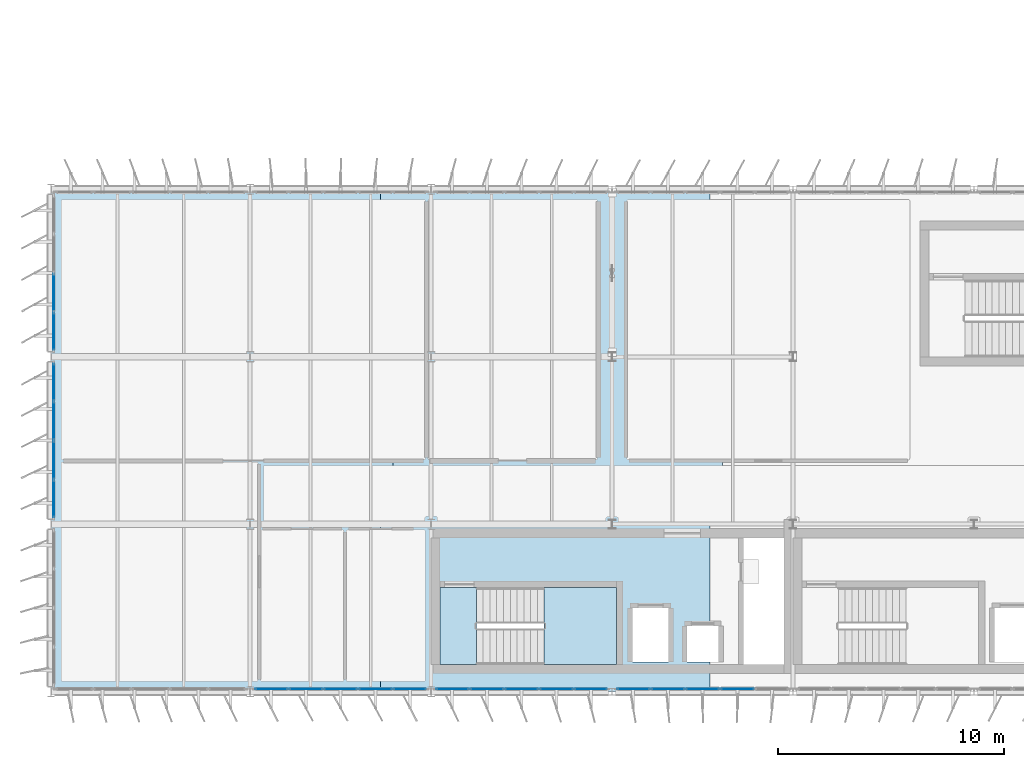
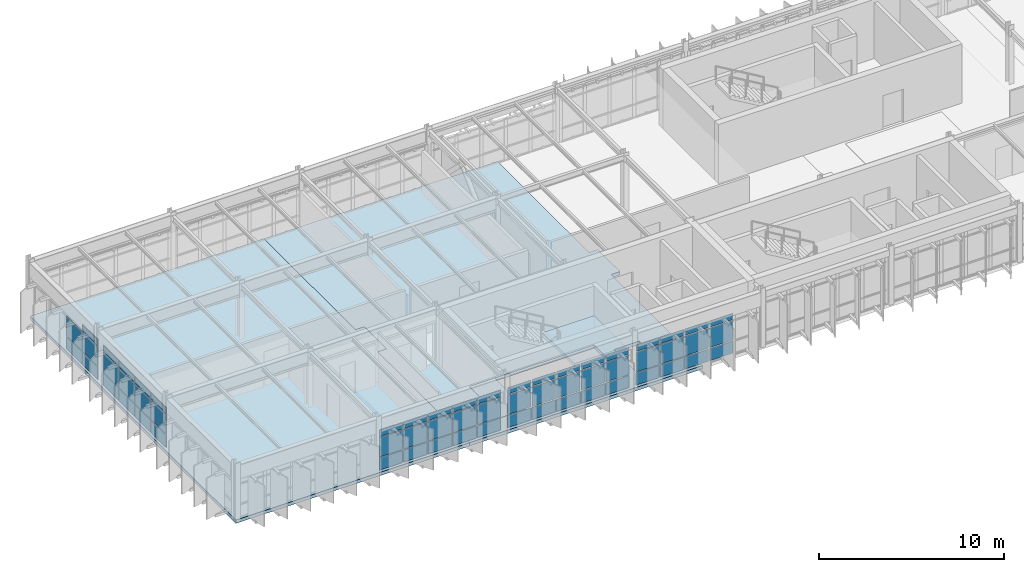
# One storey, part 19 of 35: 59 plates, 4 slabs, 6 elements without a shape of their own.
"""IFC4 building model written with IfcOpenShell, lengths in metres."""

import ifcopenshell
import ifcopenshell.guid

model = None  # the IFC model being written
_history = None  # IfcOwnerHistory: only IFC2X3 demands one
_inside = {}  # id of a spatial element -> (the spatial element, [elements in it])
_under = {}  # id of a project, library or spatial element -> (it, [spatial elements below it])
_declared = {}  # id of a project -> (the project, [libraries it declares])
_typed = {}  # id of a type object -> (the type object, [elements of that type])
_made_of = {}  # id of a material, layer set ... -> (it, [elements and type objects made of it])


def new_model(schema):
    """Start an empty IFC model of exactly this schema.

    Asked for "IFC4X3", IfcOpenShell would pick the latest addendum, in which some entities
    have other attributes; the version numbers below select the first issue.
    IFC2X3 requires an IfcOwnerHistory on every rooted entity: one is made here for all.
    """
    global model, _history
    if schema == "IFC4X3":
        model = ifcopenshell.file(schema_version=(4, 3, 0, 0))
    else:
        model = ifcopenshell.file(schema=schema)
    _inside.clear()
    _under.clear()
    _declared.clear()
    _typed.clear()
    _made_of.clear()
    _history = None
    if model.schema == "IFC2X3":
        org = make("IfcOrganization", Name="unknown")
        user = make(
            "IfcPersonAndOrganization",
            ThePerson=make("IfcPerson", FamilyName="unknown"),
            TheOrganization=org,
        )
        app = make(
            "IfcApplication",
            ApplicationDeveloper=org,
            Version="unknown",
            ApplicationFullName="unknown",
            ApplicationIdentifier="unknown",
        )
        _history = make(
            "IfcOwnerHistory",
            OwningUser=user,
            OwningApplication=app,
            ChangeAction="ADDED",
            CreationDate=0,
        )
    return model


def make(cls, **values):
    """One entity of the class cls with the attributes given. An attribute that is None is left unset."""
    return model.create_entity(
        cls, **{name: value for name, value in values.items() if value is not None}
    )


def rooted(cls, **values):
    """An entity with a GlobalId (a new one), such as an element, a storey or a relation."""
    return make(cls, GlobalId=ifcopenshell.guid.new(), OwnerHistory=_history, **values)


def si_unit(unit_type, name, prefix=None):
    """IfcSIUnit, for example si_unit("LENGTHUNIT", "METRE", prefix="MILLI")."""
    return make("IfcSIUnit", UnitType=unit_type, Prefix=prefix, Name=name)


def assignment(units):
    """IfcUnitAssignment: the units of a project."""
    return None if units is None else make("IfcUnitAssignment", Units=units)


def point(xyz):
    """IfcCartesianPoint."""
    return None if xyz is None else make("IfcCartesianPoint", Coordinates=xyz)


def direction(xyz):
    """IfcDirection."""
    return None if xyz is None else make("IfcDirection", DirectionRatios=xyz)


def frame(location, z_axis=None, x_axis=None):
    """IfcAxis2Placement3D, a coordinate frame: its origin and axes. An axis left out is left unset."""
    return make(
        "IfcAxis2Placement3D",
        Location=point(location),
        Axis=direction(z_axis),
        RefDirection=direction(x_axis),
    )


def frame_2d(location, x_axis=None):
    """IfcAxis2Placement2D, a coordinate frame in the plane: its origin and x axis."""
    return make(
        "IfcAxis2Placement2D", Location=point(location), RefDirection=direction(x_axis)
    )


def origin():
    """The frame at (0, 0, 0) with its axes left unset."""
    return frame((0.0, 0.0, 0.0))


def origin_2d():
    """The frame at (0, 0) in the plane with its x axis left unset."""
    return frame_2d((0.0, 0.0))


def place(relative_to, where):
    """IfcLocalPlacement: puts the frame where relative to a parent placement (None: the world)."""
    return make(
        "IfcLocalPlacement", PlacementRelTo=relative_to, RelativePlacement=where
    )


def context(
    kind, dimensions, precision=None, world=None, true_north=None, identifier=None
):
    """IfcGeometricRepresentationContext, for example the 3D "Model" context."""
    return make(
        "IfcGeometricRepresentationContext",
        ContextIdentifier=identifier,
        ContextType=kind,
        CoordinateSpaceDimension=dimensions,
        Precision=precision,
        WorldCoordinateSystem=world,
        TrueNorth=true_north,
    )


def subcontext(parent, identifier, kind, view, scale=None):
    """IfcGeometricRepresentationSubContext, for example "Body" below "Model"."""
    return make(
        "IfcGeometricRepresentationSubContext",
        ContextIdentifier=identifier,
        ContextType=kind,
        ParentContext=parent,
        TargetScale=scale,
        TargetView=view,
    )


def project(units=None, contexts=None):
    """IfcProject with its units and contexts."""
    return rooted(
        "IfcProject",
        Name="project",
        RepresentationContexts=contexts,
        UnitsInContext=assignment(units),
    )


def spatial(cls, under=None, at=None, **own):
    """A site, building, storey or space (cls), placed at a placement, below another one or the project."""
    s = rooted(cls, ObjectPlacement=at, **own)
    if under is not None:
        _under.setdefault(under.id(), (under, []))[1].append(s)
    return s


def polyline(points):
    """IfcPolyline through the points."""
    return make("IfcPolyline", Points=[point(p) for p in points])


def profile(cls, at=None, kind="AREA", **sizes):
    """A parametric profile (cls). Its sizes go by their IFC names, for example OverallWidth=200.0."""
    return make(cls, ProfileType=kind, Position=at, **sizes)


def rectangle(**sizes):
    """IfcRectangleProfileDef."""
    return profile("IfcRectangleProfileDef", **sizes)


def outline(outer, holes=None, kind="AREA"):
    """IfcArbitraryClosedProfileDef: a profile drawn as a closed curve; with holes, ...WithVoids."""
    if holes is None:
        return make("IfcArbitraryClosedProfileDef", ProfileType=kind, OuterCurve=outer)
    return make(
        "IfcArbitraryProfileDefWithVoids",
        ProfileType=kind,
        OuterCurve=outer,
        InnerCurves=holes,
    )


def extrude(swept, where, along, depth):
    """IfcExtrudedAreaSolid: the profile swept, set in the frame where, extruded along a direction by depth."""
    return make(
        "IfcExtrudedAreaSolid",
        SweptArea=swept,
        Position=where,
        ExtrudedDirection=direction(along),
        Depth=depth,
    )


def shape(context_of_items, identifier, shape_type, items):
    """IfcShapeRepresentation: the items that make up one representation, for example the "Body"."""
    return make(
        "IfcShapeRepresentation",
        ContextOfItems=context_of_items,
        RepresentationIdentifier=identifier,
        RepresentationType=shape_type,
        Items=items,
    )


def material(Name=None, Category=None):
    """IfcMaterial."""
    return make("IfcMaterial", Name=Name, Category=Category)


def layer(
    of_material, thickness, ventilated=None, Name=None, Category=None, Priority=None
):
    """IfcMaterialLayer: one layer of a wall or slab, of a material (None: an air gap)."""
    return make(
        "IfcMaterialLayer",
        Material=of_material,
        LayerThickness=thickness,
        IsVentilated=ventilated,
        Name=Name,
        Category=Category,
        Priority=Priority,
    )


def layer_set(layers, Name=None):
    """IfcMaterialLayerSet."""
    return make("IfcMaterialLayerSet", MaterialLayers=layers, LayerSetName=Name)


def made_of(thing, what):
    """Note that an element or type object is made of a material, layer set ...; save() writes the relation."""
    if what is not None:
        _made_of.setdefault(what.id(), (what, []))[1].append(thing)
    return thing


def type_object(cls, material=None, **own):
    """A type object (cls), such as IfcWallType, which elements share."""
    return made_of(rooted(cls, **own), material)


def element(
    cls,
    number,
    at=None,
    inside=None,
    cuts=None,
    type_object=None,
    material=None,
    context=None,
    identifier="Body",
    shape_type=None,
    held_by="IfcProductDefinitionShape",
    body=None,
    shapes=None,
    **own,
):
    """One element of the class cls, such as IfcWall. Its Tag is "e" and its number.

    at: its placement. inside: the storey or other place that contains it. cuts: it is an
    opening in that element (IfcRelVoidsElement). A single representation is given by context,
    identifier, shape_type and body (its items); several are given by shapes. held_by: the class
    of the entity that holds the representations. save() writes the other relations.
    """
    e = rooted(cls, Tag="e%d" % number, ObjectPlacement=at, **own)
    if body is not None:
        shapes = [shape(context, identifier, shape_type, body)]
    if shapes is not None:
        e.Representation = make(held_by, Representations=shapes)
    if inside is not None:
        _inside.setdefault(inside.id(), (inside, []))[1].append(e)
    if cuts is not None:
        rooted(
            "IfcRelVoidsElement", RelatingBuildingElement=cuts, RelatedOpeningElement=e
        )
    if type_object is not None:
        _typed.setdefault(type_object.id(), (type_object, []))[1].append(e)
    return made_of(e, material)


def aggregate(whole, parts):
    """IfcRelAggregates: a whole, such as a stair, and the parts it consists of."""
    return rooted("IfcRelAggregates", RelatingObject=whole, RelatedObjects=parts)


def save(model, path):
    """Write the relations noted so far, then the file.

    IfcRelAggregates (storeys below a building ...), IfcRelContainedInSpatialStructure (elements
    in a storey), IfcRelDefinesByType, IfcRelAssociatesMaterial and IfcRelDeclares: one each for
    every whole, place, type object, material and project.
    """
    for whole, parts in _under.values():
        aggregate(whole, parts)
    for where, things in _inside.values():
        rooted(
            "IfcRelContainedInSpatialStructure",
            RelatedElements=things,
            RelatingStructure=where,
        )
    for kind, things in _typed.values():
        rooted("IfcRelDefinesByType", RelatedObjects=things, RelatingType=kind)
    for what, things in _made_of.values():
        rooted("IfcRelAssociatesMaterial", RelatedObjects=things, RelatingMaterial=what)
    for by, libraries in _declared.values():
        rooted("IfcRelDeclares", RelatingContext=by, RelatedDefinitions=libraries)
    model.write(path)


model = new_model("IFC4")

# Units and contexts
model_context = context("Model", 3, precision=1e-05, world=origin(), true_north=direction((0.0, 1.0)))
body_context = subcontext(model_context, "Body", "Model", "MODEL_VIEW")
ifc_project = project(units=[si_unit("LENGTHUNIT", "METRE"), si_unit("AREAUNIT", "SQUARE_METRE"), si_unit("VOLUMEUNIT", "CUBIC_METRE"), si_unit("PLANEANGLEUNIT", "RADIAN"), si_unit("MASSUNIT", "GRAM", prefix="KILO")], contexts=[model_context])

# Site, building, storey
site_placement = place(None, origin())
site = spatial("IfcSite", under=ifc_project, at=site_placement, CompositionType="ELEMENT")
building_placement = place(site_placement, origin())
building = spatial("IfcBuilding", under=site, at=building_placement, Name="Valkorina Park Police Headquarters", CompositionType="ELEMENT")
storey_placement = place(building_placement, frame((0.0, 0.0, 27.199951171875)))
storey = spatial("IfcBuildingStorey", under=building, at=storey_placement, Name="L07", CompositionType="ELEMENT", Elevation=27.199951171875)

# Curtain wall, plates
ifc_material_1 = material(Name="Thermally broken aluminium AW-6060", Category="aluminium")
ifc_layer_1 = layer(ifc_material_1, 0.18994140625)
ifc_layer_set_1 = layer_set([ifc_layer_1], Name="Thermally broken aluminium AW-6060")
curtain_wall_type_1 = type_object("IfcCurtainWallType", Name="CW-V5-7680x2770", PredefinedType="NOTDEFINED", material=ifc_layer_set_1)
curtain_wall_1_placement = place(storey_placement, origin())
curtain_wall_1 = element("IfcCurtainWall", 1, at=curtain_wall_1_placement, inside=storey, type_object=curtain_wall_type_1, Name="L07 Unitised Curtain Wall 138", PredefinedType="NOTDEFINED")
ifc_layer_2 = layer(ifc_material_1, 0.050048828125)
ifc_layer_set_2 = layer_set([ifc_layer_2], Name="Thermally broken aluminium AW-6060")
plate_type_1 = type_object("IfcPlateType", Name="PL-CWP-SPANDREL-50", PredefinedType="CURTAIN_PANEL", material=ifc_layer_set_2)
plate_1_placement = place(storey_placement, frame((30.3359375, 37.1201171875, 0.070068359375), z_axis=(0.0, 0.0, 1.0), x_axis=(-1.0, 0.0, 0.0)))
plate_1 = element("IfcPlate", 2, at=plate_1_placement, type_object=plate_type_1, Name="CW-V5-768-277 panel 2.1", PredefinedType="CURTAIN_PANEL", context=body_context, shape_type="SweptSolid", body=[
    extrude(rectangle(XDim=1.466064453125, YDim=0.028076171875, at=origin_2d()), origin(), (0.0, 0.0, 1.0), 0.794921875),
])
plate_2_placement = place(storey_placement, frame((28.800048828125, 37.1201171875, 0.070068359375), z_axis=(0.0, 0.0, 1.0), x_axis=(-1.0, 0.0, 0.0)))
plate_2 = element("IfcPlate", 3, at=plate_2_placement, type_object=plate_type_1, Name="CW-V5-768-277 panel 3.1", PredefinedType="CURTAIN_PANEL", context=body_context, shape_type="SweptSolid", body=[
    extrude(rectangle(XDim=1.466064453125, YDim=0.028076171875, at=origin_2d()), origin(), (0.0, 0.0, 1.0), 0.794921875),
])
plate_3_placement = place(storey_placement, frame((27.263916015625, 37.1201171875, 0.070068359375), z_axis=(0.0, 0.0, 1.0), x_axis=(-1.0, 0.0, 0.0)))
plate_3 = element("IfcPlate", 4, at=plate_3_placement, type_object=plate_type_1, Name="CW-V5-768-277 panel 4.1", PredefinedType="CURTAIN_PANEL", context=body_context, shape_type="SweptSolid", body=[
    extrude(rectangle(XDim=1.466064453125, YDim=0.028076171875, at=origin_2d()), origin(), (0.0, 0.0, 1.0), 0.794921875),
])
plate_4_placement = place(storey_placement, frame((25.74560546875, 37.1201171875, 0.070068359375), z_axis=(0.0, 0.0, 1.0), x_axis=(-1.0, 0.0, 0.0)))
plate_4 = element("IfcPlate", 5, at=plate_4_placement, type_object=plate_type_1, Name="CW-V5-768-277 panel 5.1", PredefinedType="CURTAIN_PANEL", context=body_context, shape_type="SweptSolid", body=[
    extrude(rectangle(XDim=1.430908203125, YDim=0.028076171875, at=origin_2d()), origin(), (0.0, 0.0, 1.0), 0.794921875),
])

curtain_wall_2_placement = place(storey_placement, origin())
curtain_wall_2 = element("IfcCurtainWall", 6, at=curtain_wall_2_placement, inside=storey, type_object=curtain_wall_type_1, Name="L07 Unitised Curtain Wall 139", PredefinedType="NOTDEFINED")
plate_5_placement = place(storey_placement, frame((23.8544921875, 37.1201171875, 0.070068359375), z_axis=(0.0, 0.0, 1.0), x_axis=(-1.0, 0.0, 0.0)))
plate_5 = element("IfcPlate", 7, at=plate_5_placement, type_object=plate_type_1, Name="CW-V5-768-277 panel 1.1", PredefinedType="CURTAIN_PANEL", context=body_context, shape_type="SweptSolid", body=[
    extrude(rectangle(XDim=1.430908203125, YDim=0.028076171875, at=origin_2d()), origin(), (0.0, 0.0, 1.0), 0.794921875),
])
plate_6_placement = place(storey_placement, frame((22.3359375, 37.1201171875, 0.070068359375), z_axis=(0.0, 0.0, 1.0), x_axis=(-1.0, 0.0, 0.0)))
plate_6 = element("IfcPlate", 8, at=plate_6_placement, type_object=plate_type_1, Name="CW-V5-768-277 panel 2.1", PredefinedType="CURTAIN_PANEL", context=body_context, shape_type="SweptSolid", body=[
    extrude(rectangle(XDim=1.466064453125, YDim=0.028076171875, at=origin_2d()), origin(), (0.0, 0.0, 1.0), 0.794921875),
])
plate_7_placement = place(storey_placement, frame((20.800048828125, 37.1201171875, 0.070068359375), z_axis=(0.0, 0.0, 1.0), x_axis=(-1.0, 0.0, 0.0)))
plate_7 = element("IfcPlate", 9, at=plate_7_placement, type_object=plate_type_1, Name="CW-V5-768-277 panel 3.1", PredefinedType="CURTAIN_PANEL", context=body_context, shape_type="SweptSolid", body=[
    extrude(rectangle(XDim=1.466064453125, YDim=0.028076171875, at=origin_2d()), origin(), (0.0, 0.0, 1.0), 0.794921875),
])
plate_8_placement = place(storey_placement, frame((19.263916015625, 37.1201171875, 0.070068359375), z_axis=(0.0, 0.0, 1.0), x_axis=(-1.0, 0.0, 0.0)))
plate_8 = element("IfcPlate", 10, at=plate_8_placement, type_object=plate_type_1, Name="CW-V5-768-277 panel 4.1", PredefinedType="CURTAIN_PANEL", context=body_context, shape_type="SweptSolid", body=[
    extrude(rectangle(XDim=1.466064453125, YDim=0.028076171875, at=origin_2d()), origin(), (0.0, 0.0, 1.0), 0.794921875),
])
plate_9_placement = place(storey_placement, frame((17.74560546875, 37.1201171875, 0.070068359375), z_axis=(0.0, 0.0, 1.0), x_axis=(-1.0, 0.0, 0.0)))
plate_9 = element("IfcPlate", 11, at=plate_9_placement, type_object=plate_type_1, Name="CW-V5-768-277 panel 5.1", PredefinedType="CURTAIN_PANEL", context=body_context, shape_type="SweptSolid", body=[
    extrude(rectangle(XDim=1.430908203125, YDim=0.028076171875, at=origin_2d()), origin(), (0.0, 0.0, 1.0), 0.794921875),
])

curtain_wall_3_placement = place(storey_placement, origin())
curtain_wall_3 = element("IfcCurtainWall", 12, at=curtain_wall_3_placement, inside=storey, type_object=curtain_wall_type_1, Name="L07 Unitised Curtain Wall 140", PredefinedType="NOTDEFINED")
plate_10_placement = place(storey_placement, frame((15.8544921875, 37.1201171875, 0.070068359375), z_axis=(0.0, 0.0, 1.0), x_axis=(-1.0, 0.0, 0.0)))
plate_10 = element("IfcPlate", 13, at=plate_10_placement, type_object=plate_type_1, Name="CW-V5-768-277 panel 1.1", PredefinedType="CURTAIN_PANEL", context=body_context, shape_type="SweptSolid", body=[
    extrude(rectangle(XDim=1.430908203125, YDim=0.028076171875, at=origin_2d()), origin(), (0.0, 0.0, 1.0), 0.794921875),
])
plate_11_placement = place(storey_placement, frame((14.3359375, 37.1201171875, 0.070068359375), z_axis=(0.0, 0.0, 1.0), x_axis=(-1.0, 0.0, 0.0)))
plate_11 = element("IfcPlate", 14, at=plate_11_placement, type_object=plate_type_1, Name="CW-V5-768-277 panel 2.1", PredefinedType="CURTAIN_PANEL", context=body_context, shape_type="SweptSolid", body=[
    extrude(rectangle(XDim=1.466064453125, YDim=0.028076171875, at=origin_2d()), origin(), (0.0, 0.0, 1.0), 0.794921875),
])
plate_12_placement = place(storey_placement, frame((12.800048828125, 37.1201171875, 0.070068359375), z_axis=(0.0, 0.0, 1.0), x_axis=(-1.0, 0.0, 0.0)))
plate_12 = element("IfcPlate", 15, at=plate_12_placement, type_object=plate_type_1, Name="CW-V5-768-277 panel 3.1", PredefinedType="CURTAIN_PANEL", context=body_context, shape_type="SweptSolid", body=[
    extrude(rectangle(XDim=1.466064453125, YDim=0.028076171875, at=origin_2d()), origin(), (0.0, 0.0, 1.0), 0.794921875),
])
plate_13_placement = place(storey_placement, frame((11.263916015625, 37.1201171875, 0.070068359375), z_axis=(0.0, 0.0, 1.0), x_axis=(-1.0, 0.0, 0.0)))
plate_13 = element("IfcPlate", 16, at=plate_13_placement, type_object=plate_type_1, Name="CW-V5-768-277 panel 4.1", PredefinedType="CURTAIN_PANEL", context=body_context, shape_type="SweptSolid", body=[
    extrude(rectangle(XDim=1.466064453125, YDim=0.028076171875, at=origin_2d()), origin(), (0.0, 0.0, 1.0), 0.794921875),
])
plate_14_placement = place(storey_placement, frame((9.74560546875, 37.1201171875, 0.070068359375), z_axis=(0.0, 0.0, 1.0), x_axis=(-1.0, 0.0, 0.0)))
plate_14 = element("IfcPlate", 17, at=plate_14_placement, type_object=plate_type_1, Name="CW-V5-768-277 panel 5.1", PredefinedType="CURTAIN_PANEL", context=body_context, shape_type="SweptSolid", body=[
    extrude(rectangle(XDim=1.430908203125, YDim=0.028076171875, at=origin_2d()), origin(), (0.0, 0.0, 1.0), 0.794921875),
])

ifc_layer_3 = layer(ifc_material_1, 0.18994140625)
ifc_layer_set_3 = layer_set([ifc_layer_3], Name="Thermally broken aluminium AW-6060")
curtain_wall_type_2 = type_object("IfcCurtainWallType", Name="CW-V5-6930x2770", PredefinedType="NOTDEFINED", material=ifc_layer_set_3)
curtain_wall_4_placement = place(storey_placement, origin())
curtain_wall_4 = element("IfcCurtainWall", 18, at=curtain_wall_4_placement, inside=storey, type_object=curtain_wall_type_2, Name="L07 Unitised Curtain Wall 143", PredefinedType="NOTDEFINED")
plate_15_placement = place(storey_placement, frame((0.1201171875, 45.518798828125, 0.070068359375), z_axis=(0.0, 0.0, 1.0), x_axis=(0.0, 1.0, 0.0)))
plate_15 = element("IfcPlate", 19, at=plate_15_placement, type_object=plate_type_1, Name="CW-V5-693-277 panel 1.1", PredefinedType="CURTAIN_PANEL", context=body_context, shape_type="SweptSolid", body=[
    extrude(rectangle(XDim=1.62744140625, YDim=0.028076171875, at=origin_2d()), origin(), (0.0, 0.0, 1.0), 0.794921875),
])
plate_16_placement = place(storey_placement, frame((0.1201171875, 47.233642578125, 0.070068359375), z_axis=(0.0, 0.0, 1.0), x_axis=(0.0, 1.0, 0.0)))
plate_16 = element("IfcPlate", 20, at=plate_16_placement, type_object=plate_type_1, Name="CW-V5-693-277 panel 2.1", PredefinedType="CURTAIN_PANEL", context=body_context, shape_type="SweptSolid", body=[
    extrude(rectangle(XDim=1.66259765625, YDim=0.028076171875, at=origin_2d()), origin(), (0.0, 0.0, 1.0), 0.794921875),
])
plate_17_placement = place(storey_placement, frame((0.1201171875, 48.96630859375, 0.070068359375), z_axis=(0.0, 0.0, 1.0), x_axis=(0.0, 1.0, 0.0)))
plate_17 = element("IfcPlate", 21, at=plate_17_placement, type_object=plate_type_1, Name="CW-V5-693-277 panel 3.1", PredefinedType="CURTAIN_PANEL", context=body_context, shape_type="SweptSolid", body=[
    extrude(rectangle(XDim=1.66259765625, YDim=0.028076171875, at=origin_2d()), origin(), (0.0, 0.0, 1.0), 0.794921875),
])
plate_18_placement = place(storey_placement, frame((0.1201171875, 50.68115234375, 0.070068359375), z_axis=(0.0, 0.0, 1.0), x_axis=(0.0, 1.0, 0.0)))
plate_18 = element("IfcPlate", 22, at=plate_18_placement, type_object=plate_type_1, Name="CW-V5-693-277 panel 4.1", PredefinedType="CURTAIN_PANEL", context=body_context, shape_type="SweptSolid", body=[
    extrude(rectangle(XDim=1.62744140625, YDim=0.028076171875, at=origin_2d()), origin(), (0.0, 0.0, 1.0), 0.794921875),
])

curtain_wall_5_placement = place(storey_placement, origin())
curtain_wall_5 = element("IfcCurtainWall", 23, at=curtain_wall_5_placement, inside=storey, type_object=curtain_wall_type_2, Name="L07 Unitised Curtain Wall 144", PredefinedType="NOTDEFINED")
plate_19_placement = place(storey_placement, frame((0.1201171875, 52.918701171875, 0.070068359375), z_axis=(0.0, 0.0, 1.0), x_axis=(0.0, 1.0, 0.0)))
plate_19 = element("IfcPlate", 24, at=plate_19_placement, type_object=plate_type_1, Name="CW-V5-693-277 panel 1.1", PredefinedType="CURTAIN_PANEL", context=body_context, shape_type="SweptSolid", body=[
    extrude(rectangle(XDim=1.62744140625, YDim=0.028076171875, at=origin_2d()), origin(), (0.0, 0.0, 1.0), 0.794921875),
])
plate_20_placement = place(storey_placement, frame((0.1201171875, 54.6337890625, 0.070068359375), z_axis=(0.0, 0.0, 1.0), x_axis=(0.0, 1.0, 0.0)))
plate_20 = element("IfcPlate", 25, at=plate_20_placement, type_object=plate_type_1, Name="CW-V5-693-277 panel 2.1", PredefinedType="CURTAIN_PANEL", context=body_context, shape_type="SweptSolid", body=[
    extrude(rectangle(XDim=1.66259765625, YDim=0.028076171875, at=origin_2d()), origin(), (0.0, 0.0, 1.0), 0.794921875),
])

# Plate
ifc_material_2 = material(Name="Triple low-E insulated glazing", Category="glass")
ifc_layer_4 = layer(ifc_material_2, 0.028076171875)
ifc_layer_set_4 = layer_set([ifc_layer_4], Name="Triple low-E insulated glazing")
plate_type_2 = type_object("IfcPlateType", Name="PL-CWP-VISION-28", PredefinedType="CURTAIN_PANEL", material=ifc_layer_set_4)
plate_21_placement = place(storey_placement, frame((30.3359375, 37.1201171875, 0.93505859375), z_axis=(0.0, 0.0, 1.0), x_axis=(-1.0, 0.0, 0.0)))
plate_21 = element("IfcPlate", 26, at=plate_21_placement, type_object=plate_type_2, Name="CW-V5-768-277 panel 2.2", PredefinedType="CURTAIN_PANEL", context=body_context, shape_type="SweptSolid", body=[
    extrude(rectangle(XDim=1.466064453125, YDim=0.028076171875, at=origin_2d()), origin(), (0.0, 0.0, 1.0), 1.280029296875),
])

plate_22_placement = place(storey_placement, frame((30.3359375, 37.1201171875, 2.284912109375), z_axis=(0.0, 0.0, 1.0), x_axis=(-1.0, 0.0, 0.0)))
plate_22 = element("IfcPlate", 27, at=plate_22_placement, type_object=plate_type_2, Name="CW-V5-768-277 panel 2.3", PredefinedType="CURTAIN_PANEL", context=body_context, shape_type="SweptSolid", body=[
    extrude(rectangle(XDim=1.466064453125, YDim=0.028076171875, at=origin_2d()), origin(), (0.0, 0.0, 1.0), 0.4150390625),
])

plate_23_placement = place(storey_placement, frame((28.800048828125, 37.1201171875, 0.93505859375), z_axis=(0.0, 0.0, 1.0), x_axis=(-1.0, 0.0, 0.0)))
plate_23 = element("IfcPlate", 28, at=plate_23_placement, type_object=plate_type_2, Name="CW-V5-768-277 panel 3.2", PredefinedType="CURTAIN_PANEL", context=body_context, shape_type="SweptSolid", body=[
    extrude(rectangle(XDim=1.466064453125, YDim=0.028076171875, at=origin_2d()), origin(), (0.0, 0.0, 1.0), 1.280029296875),
])

plate_24_placement = place(storey_placement, frame((28.800048828125, 37.1201171875, 2.284912109375), z_axis=(0.0, 0.0, 1.0), x_axis=(-1.0, 0.0, 0.0)))
plate_24 = element("IfcPlate", 29, at=plate_24_placement, type_object=plate_type_2, Name="CW-V5-768-277 panel 3.3", PredefinedType="CURTAIN_PANEL", context=body_context, shape_type="SweptSolid", body=[
    extrude(rectangle(XDim=1.466064453125, YDim=0.028076171875, at=origin_2d()), origin(), (0.0, 0.0, 1.0), 0.4150390625),
])

plate_25_placement = place(storey_placement, frame((27.263916015625, 37.1201171875, 0.93505859375), z_axis=(0.0, 0.0, 1.0), x_axis=(-1.0, 0.0, 0.0)))
plate_25 = element("IfcPlate", 30, at=plate_25_placement, type_object=plate_type_2, Name="CW-V5-768-277 panel 4.2", PredefinedType="CURTAIN_PANEL", context=body_context, shape_type="SweptSolid", body=[
    extrude(rectangle(XDim=1.466064453125, YDim=0.028076171875, at=origin_2d()), origin(), (0.0, 0.0, 1.0), 1.280029296875),
])

plate_26_placement = place(storey_placement, frame((27.263916015625, 37.1201171875, 2.284912109375), z_axis=(0.0, 0.0, 1.0), x_axis=(-1.0, 0.0, 0.0)))
plate_26 = element("IfcPlate", 31, at=plate_26_placement, type_object=plate_type_2, Name="CW-V5-768-277 panel 4.3", PredefinedType="CURTAIN_PANEL", context=body_context, shape_type="SweptSolid", body=[
    extrude(rectangle(XDim=1.466064453125, YDim=0.028076171875, at=origin_2d()), origin(), (0.0, 0.0, 1.0), 0.4150390625),
])

plate_27_placement = place(storey_placement, frame((25.74560546875, 37.1201171875, 0.93505859375), z_axis=(0.0, 0.0, 1.0), x_axis=(-1.0, 0.0, 0.0)))
plate_27 = element("IfcPlate", 32, at=plate_27_placement, type_object=plate_type_2, Name="CW-V5-768-277 panel 5.2", PredefinedType="CURTAIN_PANEL", context=body_context, shape_type="SweptSolid", body=[
    extrude(rectangle(XDim=1.430908203125, YDim=0.028076171875, at=origin_2d()), origin(), (0.0, 0.0, 1.0), 1.280029296875),
])

plate_28_placement = place(storey_placement, frame((25.74560546875, 37.1201171875, 2.284912109375), z_axis=(0.0, 0.0, 1.0), x_axis=(-1.0, 0.0, 0.0)))
plate_28 = element("IfcPlate", 33, at=plate_28_placement, type_object=plate_type_2, Name="CW-V5-768-277 panel 5.3", PredefinedType="CURTAIN_PANEL", context=body_context, shape_type="SweptSolid", body=[
    extrude(rectangle(XDim=1.430908203125, YDim=0.028076171875, at=origin_2d()), origin(), (0.0, 0.0, 1.0), 0.4150390625),
])

aggregate(curtain_wall_1, [plate_1, plate_21, plate_22, plate_2, plate_23, plate_24, plate_3, plate_25, plate_26, plate_4, plate_27, plate_28])

plate_29_placement = place(storey_placement, frame((23.8544921875, 37.1201171875, 0.93505859375), z_axis=(0.0, 0.0, 1.0), x_axis=(-1.0, 0.0, 0.0)))
plate_29 = element("IfcPlate", 34, at=plate_29_placement, type_object=plate_type_2, Name="CW-V5-768-277 panel 1.2", PredefinedType="CURTAIN_PANEL", context=body_context, shape_type="SweptSolid", body=[
    extrude(rectangle(XDim=1.430908203125, YDim=0.028076171875, at=origin_2d()), origin(), (0.0, 0.0, 1.0), 1.280029296875),
])

plate_30_placement = place(storey_placement, frame((23.8544921875, 37.1201171875, 2.284912109375), z_axis=(0.0, 0.0, 1.0), x_axis=(-1.0, 0.0, 0.0)))
plate_30 = element("IfcPlate", 35, at=plate_30_placement, type_object=plate_type_2, Name="CW-V5-768-277 panel 1.3", PredefinedType="CURTAIN_PANEL", context=body_context, shape_type="SweptSolid", body=[
    extrude(rectangle(XDim=1.430908203125, YDim=0.028076171875, at=origin_2d()), origin(), (0.0, 0.0, 1.0), 0.4150390625),
])

plate_31_placement = place(storey_placement, frame((22.3359375, 37.1201171875, 0.93505859375), z_axis=(0.0, 0.0, 1.0), x_axis=(-1.0, 0.0, 0.0)))
plate_31 = element("IfcPlate", 36, at=plate_31_placement, type_object=plate_type_2, Name="CW-V5-768-277 panel 2.2", PredefinedType="CURTAIN_PANEL", context=body_context, shape_type="SweptSolid", body=[
    extrude(rectangle(XDim=1.466064453125, YDim=0.028076171875, at=origin_2d()), origin(), (0.0, 0.0, 1.0), 1.280029296875),
])

plate_32_placement = place(storey_placement, frame((22.3359375, 37.1201171875, 2.284912109375), z_axis=(0.0, 0.0, 1.0), x_axis=(-1.0, 0.0, 0.0)))
plate_32 = element("IfcPlate", 37, at=plate_32_placement, type_object=plate_type_2, Name="CW-V5-768-277 panel 2.3", PredefinedType="CURTAIN_PANEL", context=body_context, shape_type="SweptSolid", body=[
    extrude(rectangle(XDim=1.466064453125, YDim=0.028076171875, at=origin_2d()), origin(), (0.0, 0.0, 1.0), 0.4150390625),
])

plate_33_placement = place(storey_placement, frame((20.800048828125, 37.1201171875, 0.93505859375), z_axis=(0.0, 0.0, 1.0), x_axis=(-1.0, 0.0, 0.0)))
plate_33 = element("IfcPlate", 38, at=plate_33_placement, type_object=plate_type_2, Name="CW-V5-768-277 panel 3.2", PredefinedType="CURTAIN_PANEL", context=body_context, shape_type="SweptSolid", body=[
    extrude(rectangle(XDim=1.466064453125, YDim=0.028076171875, at=origin_2d()), origin(), (0.0, 0.0, 1.0), 1.280029296875),
])

plate_34_placement = place(storey_placement, frame((20.800048828125, 37.1201171875, 2.284912109375), z_axis=(0.0, 0.0, 1.0), x_axis=(-1.0, 0.0, 0.0)))
plate_34 = element("IfcPlate", 39, at=plate_34_placement, type_object=plate_type_2, Name="CW-V5-768-277 panel 3.3", PredefinedType="CURTAIN_PANEL", context=body_context, shape_type="SweptSolid", body=[
    extrude(rectangle(XDim=1.466064453125, YDim=0.028076171875, at=origin_2d()), origin(), (0.0, 0.0, 1.0), 0.4150390625),
])

plate_35_placement = place(storey_placement, frame((19.263916015625, 37.1201171875, 0.93505859375), z_axis=(0.0, 0.0, 1.0), x_axis=(-1.0, 0.0, 0.0)))
plate_35 = element("IfcPlate", 40, at=plate_35_placement, type_object=plate_type_2, Name="CW-V5-768-277 panel 4.2", PredefinedType="CURTAIN_PANEL", context=body_context, shape_type="SweptSolid", body=[
    extrude(rectangle(XDim=1.466064453125, YDim=0.028076171875, at=origin_2d()), origin(), (0.0, 0.0, 1.0), 1.280029296875),
])

plate_36_placement = place(storey_placement, frame((19.263916015625, 37.1201171875, 2.284912109375), z_axis=(0.0, 0.0, 1.0), x_axis=(-1.0, 0.0, 0.0)))
plate_36 = element("IfcPlate", 41, at=plate_36_placement, type_object=plate_type_2, Name="CW-V5-768-277 panel 4.3", PredefinedType="CURTAIN_PANEL", context=body_context, shape_type="SweptSolid", body=[
    extrude(rectangle(XDim=1.466064453125, YDim=0.028076171875, at=origin_2d()), origin(), (0.0, 0.0, 1.0), 0.4150390625),
])

plate_37_placement = place(storey_placement, frame((17.74560546875, 37.1201171875, 0.93505859375), z_axis=(0.0, 0.0, 1.0), x_axis=(-1.0, 0.0, 0.0)))
plate_37 = element("IfcPlate", 42, at=plate_37_placement, type_object=plate_type_2, Name="CW-V5-768-277 panel 5.2", PredefinedType="CURTAIN_PANEL", context=body_context, shape_type="SweptSolid", body=[
    extrude(rectangle(XDim=1.430908203125, YDim=0.028076171875, at=origin_2d()), origin(), (0.0, 0.0, 1.0), 1.280029296875),
])

plate_38_placement = place(storey_placement, frame((17.74560546875, 37.1201171875, 2.284912109375), z_axis=(0.0, 0.0, 1.0), x_axis=(-1.0, 0.0, 0.0)))
plate_38 = element("IfcPlate", 43, at=plate_38_placement, type_object=plate_type_2, Name="CW-V5-768-277 panel 5.3", PredefinedType="CURTAIN_PANEL", context=body_context, shape_type="SweptSolid", body=[
    extrude(rectangle(XDim=1.430908203125, YDim=0.028076171875, at=origin_2d()), origin(), (0.0, 0.0, 1.0), 0.4150390625),
])

aggregate(curtain_wall_2, [plate_5, plate_29, plate_30, plate_6, plate_31, plate_32, plate_7, plate_33, plate_34, plate_8, plate_35, plate_36, plate_9, plate_37, plate_38])

plate_39_placement = place(storey_placement, frame((15.8544921875, 37.1201171875, 0.93505859375), z_axis=(0.0, 0.0, 1.0), x_axis=(-1.0, 0.0, 0.0)))
plate_39 = element("IfcPlate", 44, at=plate_39_placement, type_object=plate_type_2, Name="CW-V5-768-277 panel 1.2", PredefinedType="CURTAIN_PANEL", context=body_context, shape_type="SweptSolid", body=[
    extrude(rectangle(XDim=1.430908203125, YDim=0.028076171875, at=origin_2d()), origin(), (0.0, 0.0, 1.0), 1.280029296875),
])

plate_40_placement = place(storey_placement, frame((15.8544921875, 37.1201171875, 2.284912109375), z_axis=(0.0, 0.0, 1.0), x_axis=(-1.0, 0.0, 0.0)))
plate_40 = element("IfcPlate", 45, at=plate_40_placement, type_object=plate_type_2, Name="CW-V5-768-277 panel 1.3", PredefinedType="CURTAIN_PANEL", context=body_context, shape_type="SweptSolid", body=[
    extrude(rectangle(XDim=1.430908203125, YDim=0.028076171875, at=origin_2d()), origin(), (0.0, 0.0, 1.0), 0.4150390625),
])

plate_41_placement = place(storey_placement, frame((14.3359375, 37.1201171875, 0.93505859375), z_axis=(0.0, 0.0, 1.0), x_axis=(-1.0, 0.0, 0.0)))
plate_41 = element("IfcPlate", 46, at=plate_41_placement, type_object=plate_type_2, Name="CW-V5-768-277 panel 2.2", PredefinedType="CURTAIN_PANEL", context=body_context, shape_type="SweptSolid", body=[
    extrude(rectangle(XDim=1.466064453125, YDim=0.028076171875, at=origin_2d()), origin(), (0.0, 0.0, 1.0), 1.280029296875),
])

plate_42_placement = place(storey_placement, frame((14.3359375, 37.1201171875, 2.284912109375), z_axis=(0.0, 0.0, 1.0), x_axis=(-1.0, 0.0, 0.0)))
plate_42 = element("IfcPlate", 47, at=plate_42_placement, type_object=plate_type_2, Name="CW-V5-768-277 panel 2.3", PredefinedType="CURTAIN_PANEL", context=body_context, shape_type="SweptSolid", body=[
    extrude(rectangle(XDim=1.466064453125, YDim=0.028076171875, at=origin_2d()), origin(), (0.0, 0.0, 1.0), 0.4150390625),
])

plate_43_placement = place(storey_placement, frame((12.800048828125, 37.1201171875, 0.93505859375), z_axis=(0.0, 0.0, 1.0), x_axis=(-1.0, 0.0, 0.0)))
plate_43 = element("IfcPlate", 48, at=plate_43_placement, type_object=plate_type_2, Name="CW-V5-768-277 panel 3.2", PredefinedType="CURTAIN_PANEL", context=body_context, shape_type="SweptSolid", body=[
    extrude(rectangle(XDim=1.466064453125, YDim=0.028076171875, at=origin_2d()), origin(), (0.0, 0.0, 1.0), 1.280029296875),
])

plate_44_placement = place(storey_placement, frame((12.800048828125, 37.1201171875, 2.284912109375), z_axis=(0.0, 0.0, 1.0), x_axis=(-1.0, 0.0, 0.0)))
plate_44 = element("IfcPlate", 49, at=plate_44_placement, type_object=plate_type_2, Name="CW-V5-768-277 panel 3.3", PredefinedType="CURTAIN_PANEL", context=body_context, shape_type="SweptSolid", body=[
    extrude(rectangle(XDim=1.466064453125, YDim=0.028076171875, at=origin_2d()), origin(), (0.0, 0.0, 1.0), 0.4150390625),
])

plate_45_placement = place(storey_placement, frame((11.263916015625, 37.1201171875, 0.93505859375), z_axis=(0.0, 0.0, 1.0), x_axis=(-1.0, 0.0, 0.0)))
plate_45 = element("IfcPlate", 50, at=plate_45_placement, type_object=plate_type_2, Name="CW-V5-768-277 panel 4.2", PredefinedType="CURTAIN_PANEL", context=body_context, shape_type="SweptSolid", body=[
    extrude(rectangle(XDim=1.466064453125, YDim=0.028076171875, at=origin_2d()), origin(), (0.0, 0.0, 1.0), 1.280029296875),
])

plate_46_placement = place(storey_placement, frame((11.263916015625, 37.1201171875, 2.284912109375), z_axis=(0.0, 0.0, 1.0), x_axis=(-1.0, 0.0, 0.0)))
plate_46 = element("IfcPlate", 51, at=plate_46_placement, type_object=plate_type_2, Name="CW-V5-768-277 panel 4.3", PredefinedType="CURTAIN_PANEL", context=body_context, shape_type="SweptSolid", body=[
    extrude(rectangle(XDim=1.466064453125, YDim=0.028076171875, at=origin_2d()), origin(), (0.0, 0.0, 1.0), 0.4150390625),
])

plate_47_placement = place(storey_placement, frame((9.74560546875, 37.1201171875, 0.93505859375), z_axis=(0.0, 0.0, 1.0), x_axis=(-1.0, 0.0, 0.0)))
plate_47 = element("IfcPlate", 52, at=plate_47_placement, type_object=plate_type_2, Name="CW-V5-768-277 panel 5.2", PredefinedType="CURTAIN_PANEL", context=body_context, shape_type="SweptSolid", body=[
    extrude(rectangle(XDim=1.430908203125, YDim=0.028076171875, at=origin_2d()), origin(), (0.0, 0.0, 1.0), 1.280029296875),
])

plate_48_placement = place(storey_placement, frame((9.74560546875, 37.1201171875, 2.284912109375), z_axis=(0.0, 0.0, 1.0), x_axis=(-1.0, 0.0, 0.0)))
plate_48 = element("IfcPlate", 53, at=plate_48_placement, type_object=plate_type_2, Name="CW-V5-768-277 panel 5.3", PredefinedType="CURTAIN_PANEL", context=body_context, shape_type="SweptSolid", body=[
    extrude(rectangle(XDim=1.430908203125, YDim=0.028076171875, at=origin_2d()), origin(), (0.0, 0.0, 1.0), 0.4150390625),
])

aggregate(curtain_wall_3, [plate_10, plate_39, plate_40, plate_11, plate_41, plate_42, plate_12, plate_43, plate_44, plate_13, plate_45, plate_46, plate_14, plate_47, plate_48])

plate_49_placement = place(storey_placement, frame((0.1201171875, 45.518798828125, 0.93505859375), z_axis=(0.0, 0.0, 1.0), x_axis=(0.0, 1.0, 0.0)))
plate_49 = element("IfcPlate", 54, at=plate_49_placement, type_object=plate_type_2, Name="CW-V5-693-277 panel 1.2", PredefinedType="CURTAIN_PANEL", context=body_context, shape_type="SweptSolid", body=[
    extrude(rectangle(XDim=1.62744140625, YDim=0.028076171875, at=origin_2d()), origin(), (0.0, 0.0, 1.0), 1.280029296875),
])

plate_50_placement = place(storey_placement, frame((0.1201171875, 45.518798828125, 2.284912109375), z_axis=(0.0, 0.0, 1.0), x_axis=(0.0, 1.0, 0.0)))
plate_50 = element("IfcPlate", 55, at=plate_50_placement, type_object=plate_type_2, Name="CW-V5-693-277 panel 1.3", PredefinedType="CURTAIN_PANEL", context=body_context, shape_type="SweptSolid", body=[
    extrude(rectangle(XDim=1.62744140625, YDim=0.028076171875, at=origin_2d()), origin(), (0.0, 0.0, 1.0), 0.4150390625),
])

plate_51_placement = place(storey_placement, frame((0.1201171875, 47.233642578125, 0.93505859375), z_axis=(0.0, 0.0, 1.0), x_axis=(0.0, 1.0, 0.0)))
plate_51 = element("IfcPlate", 56, at=plate_51_placement, type_object=plate_type_2, Name="CW-V5-693-277 panel 2.2", PredefinedType="CURTAIN_PANEL", context=body_context, shape_type="SweptSolid", body=[
    extrude(rectangle(XDim=1.66259765625, YDim=0.028076171875, at=origin_2d()), origin(), (0.0, 0.0, 1.0), 1.280029296875),
])

plate_52_placement = place(storey_placement, frame((0.1201171875, 47.233642578125, 2.284912109375), z_axis=(0.0, 0.0, 1.0), x_axis=(0.0, 1.0, 0.0)))
plate_52 = element("IfcPlate", 57, at=plate_52_placement, type_object=plate_type_2, Name="CW-V5-693-277 panel 2.3", PredefinedType="CURTAIN_PANEL", context=body_context, shape_type="SweptSolid", body=[
    extrude(rectangle(XDim=1.66259765625, YDim=0.028076171875, at=origin_2d()), origin(), (0.0, 0.0, 1.0), 0.4150390625),
])

plate_53_placement = place(storey_placement, frame((0.1201171875, 48.96630859375, 0.93505859375), z_axis=(0.0, 0.0, 1.0), x_axis=(0.0, 1.0, 0.0)))
plate_53 = element("IfcPlate", 58, at=plate_53_placement, type_object=plate_type_2, Name="CW-V5-693-277 panel 3.2", PredefinedType="CURTAIN_PANEL", context=body_context, shape_type="SweptSolid", body=[
    extrude(rectangle(XDim=1.66259765625, YDim=0.028076171875, at=origin_2d()), origin(), (0.0, 0.0, 1.0), 1.280029296875),
])

plate_54_placement = place(storey_placement, frame((0.1201171875, 48.96630859375, 2.284912109375), z_axis=(0.0, 0.0, 1.0), x_axis=(0.0, 1.0, 0.0)))
plate_54 = element("IfcPlate", 59, at=plate_54_placement, type_object=plate_type_2, Name="CW-V5-693-277 panel 3.3", PredefinedType="CURTAIN_PANEL", context=body_context, shape_type="SweptSolid", body=[
    extrude(rectangle(XDim=1.66259765625, YDim=0.028076171875, at=origin_2d()), origin(), (0.0, 0.0, 1.0), 0.4150390625),
])

plate_55_placement = place(storey_placement, frame((0.1201171875, 50.68115234375, 0.93505859375), z_axis=(0.0, 0.0, 1.0), x_axis=(0.0, 1.0, 0.0)))
plate_55 = element("IfcPlate", 60, at=plate_55_placement, type_object=plate_type_2, Name="CW-V5-693-277 panel 4.2", PredefinedType="CURTAIN_PANEL", context=body_context, shape_type="SweptSolid", body=[
    extrude(rectangle(XDim=1.62744140625, YDim=0.028076171875, at=origin_2d()), origin(), (0.0, 0.0, 1.0), 1.280029296875),
])

plate_56_placement = place(storey_placement, frame((0.1201171875, 50.68115234375, 2.284912109375), z_axis=(0.0, 0.0, 1.0), x_axis=(0.0, 1.0, 0.0)))
plate_56 = element("IfcPlate", 61, at=plate_56_placement, type_object=plate_type_2, Name="CW-V5-693-277 panel 4.3", PredefinedType="CURTAIN_PANEL", context=body_context, shape_type="SweptSolid", body=[
    extrude(rectangle(XDim=1.62744140625, YDim=0.028076171875, at=origin_2d()), origin(), (0.0, 0.0, 1.0), 0.4150390625),
])

aggregate(curtain_wall_4, [plate_15, plate_49, plate_50, plate_16, plate_51, plate_52, plate_17, plate_53, plate_54, plate_18, plate_55, plate_56])

plate_57_placement = place(storey_placement, frame((0.1201171875, 52.918701171875, 0.93505859375), z_axis=(0.0, 0.0, 1.0), x_axis=(0.0, 1.0, 0.0)))
plate_57 = element("IfcPlate", 62, at=plate_57_placement, type_object=plate_type_2, Name="CW-V5-693-277 panel 1.2", PredefinedType="CURTAIN_PANEL", context=body_context, shape_type="SweptSolid", body=[
    extrude(rectangle(XDim=1.62744140625, YDim=0.028076171875, at=origin_2d()), origin(), (0.0, 0.0, 1.0), 1.280029296875),
])

plate_58_placement = place(storey_placement, frame((0.1201171875, 52.918701171875, 2.284912109375), z_axis=(0.0, 0.0, 1.0), x_axis=(0.0, 1.0, 0.0)))
plate_58 = element("IfcPlate", 63, at=plate_58_placement, type_object=plate_type_2, Name="CW-V5-693-277 panel 1.3", PredefinedType="CURTAIN_PANEL", context=body_context, shape_type="SweptSolid", body=[
    extrude(rectangle(XDim=1.62744140625, YDim=0.028076171875, at=origin_2d()), origin(), (0.0, 0.0, 1.0), 0.4150390625),
])

plate_59_placement = place(storey_placement, frame((0.1201171875, 54.6337890625, 0.93505859375), z_axis=(0.0, 0.0, 1.0), x_axis=(0.0, 1.0, 0.0)))
plate_59 = element("IfcPlate", 64, at=plate_59_placement, type_object=plate_type_2, Name="CW-V5-693-277 panel 2.2", PredefinedType="CURTAIN_PANEL", context=body_context, shape_type="SweptSolid", body=[
    extrude(rectangle(XDim=1.66259765625, YDim=0.028076171875, at=origin_2d()), origin(), (0.0, 0.0, 1.0), 1.280029296875),
])

aggregate(curtain_wall_5, [plate_19, plate_57, plate_58, plate_20, plate_59])

# Slabs
ifc_material_3 = material(Name="Concrete C35/45", Category="concrete")
ifc_layer_5 = layer(ifc_material_3, 0.219970703125)
ifc_layer_set_5 = layer_set([ifc_layer_5], Name="Concrete C35/45")
slab_type_1 = type_object("IfcSlabType", Name="SL-COMP-OFF-150", PredefinedType="FLOOR", material=ifc_layer_set_5)
slab_1_placement = place(storey_placement, frame((0.0, 0.0, -0.219970703125)))
element("IfcSlab", 65, at=slab_1_placement, inside=storey, type_object=slab_type_1, Name="L07 Structural Floor Slab 106", PredefinedType="FLOOR", context=body_context, shape_type="SweptSolid", body=[
    extrude(outline(polyline([(15.110107421875, 49.2958984375), (14.56005859375, 49.2958984375), (14.56005859375, 59.19189453125), (0.0, 59.19189453125), (0.0, 37.0), (14.56005859375, 37.0), (14.56005859375, 46.89599609375), (15.110107421875, 46.89599609375), (15.110107421875, 49.2958984375)])), origin(), (0.0, 0.0, 1.0), 0.219970703125),
])
slab_2_placement = place(storey_placement, frame((0.0, 0.0, -0.219970703125)))
element("IfcSlab", 66, at=slab_2_placement, inside=storey, type_object=slab_type_1, Name="L07 Structural Floor Slab 107", PredefinedType="FLOOR", context=body_context, shape_type="SweptSolid", body=[
    extrude(outline(polyline([(29.669921875, 49.2958984375), (29.1201171875, 49.2958984375), (29.1201171875, 59.19189453125), (14.56005859375, 59.19189453125), (14.56005859375, 49.2958984375), (15.110107421875, 49.2958984375), (15.110107421875, 46.89599609375), (14.56005859375, 46.89599609375), (14.56005859375, 37.0), (29.1201171875, 37.0), (29.1201171875, 38.300048828125), (28.10009765625, 38.300048828125), (28.10009765625, 39.89990234375), (29.1201171875, 39.89990234375), (29.1201171875, 46.89599609375), (29.669921875, 46.89599609375), (29.669921875, 49.2958984375)]), holes=[polyline([(27.300048828125, 40.699951171875), (27.300048828125, 38.300048828125), (25.699951171875, 38.300048828125), (25.699951171875, 40.699951171875), (27.300048828125, 40.699951171875)]), polyline([(17.199951171875, 38.199951171875), (17.199951171875, 41.60009765625), (25.0, 41.60009765625), (25.0, 38.199951171875), (17.199951171875, 38.199951171875)])]), origin(), (0.0, 0.0, 1.0), 0.219970703125),
])

# Stair, slab
stair_type = type_object("IfcStairType", Name="ST-DOGLEG-160-39", PredefinedType="HALF_TURN_STAIR", material=ifc_material_3)
stair_placement = place(storey_placement, origin())
stair = element("IfcStair", 67, at=stair_placement, inside=storey, type_object=stair_type, Name="L07 Core C1 Protected Stair (ST-07)", PredefinedType="HALF_TURN_STAIR")
ifc_layer_6 = layer(ifc_material_3, 0.22998046875)
ifc_layer_set_6 = layer_set([ifc_layer_6], Name="Concrete C35/45")
slab_type_2 = type_object("IfcSlabType", Name="SL-LANDING-230", PredefinedType="LANDING", material=ifc_layer_set_6)
slab_3_placement = place(storey_placement, frame((0.0, 0.0, 1.719970703125)))
slab_3 = element("IfcSlab", 68, at=slab_3_placement, type_object=slab_type_2, Name="ST-07 landing 1", PredefinedType="LANDING", context=body_context, shape_type="SweptSolid", body=[
    extrude(outline(polyline([(21.800048828125, 38.199951171875), (25.0, 38.199951171875), (25.0, 41.60009765625), (21.800048828125, 41.60009765625), (21.800048828125, 38.199951171875)])), origin(), (0.0, 0.0, 1.0), 0.22998046875),
])
aggregate(stair, [slab_3])

# Slab
ifc_material_4 = material(Name="Concrete C40/50", Category="concrete")
ifc_layer_7 = layer(ifc_material_4, 0.300048828125)
ifc_layer_set_7 = layer_set([ifc_layer_7], Name="Concrete C40/50")
slab_type_3 = type_object("IfcSlabType", Name="SL-VAULT-300", PredefinedType="FLOOR", material=ifc_layer_set_7)
slab_4_placement = place(storey_placement, frame((0.0, 0.0, -0.300048828125)))
element("IfcSlab", 69, at=slab_4_placement, inside=storey, type_object=slab_type_3, Name="L07 Core C1 Structural Floor Landing Slab", PredefinedType="FLOOR", context=body_context, shape_type="SweptSolid", body=[
    extrude(outline(polyline([(17.199951171875, 38.199951171875), (18.800048828125, 38.199951171875), (18.800048828125, 41.60009765625), (17.199951171875, 41.60009765625), (17.199951171875, 38.199951171875)])), origin(), (0.0, 0.0, 1.0), 0.300048828125),
])

save(model, "model.ifc")
